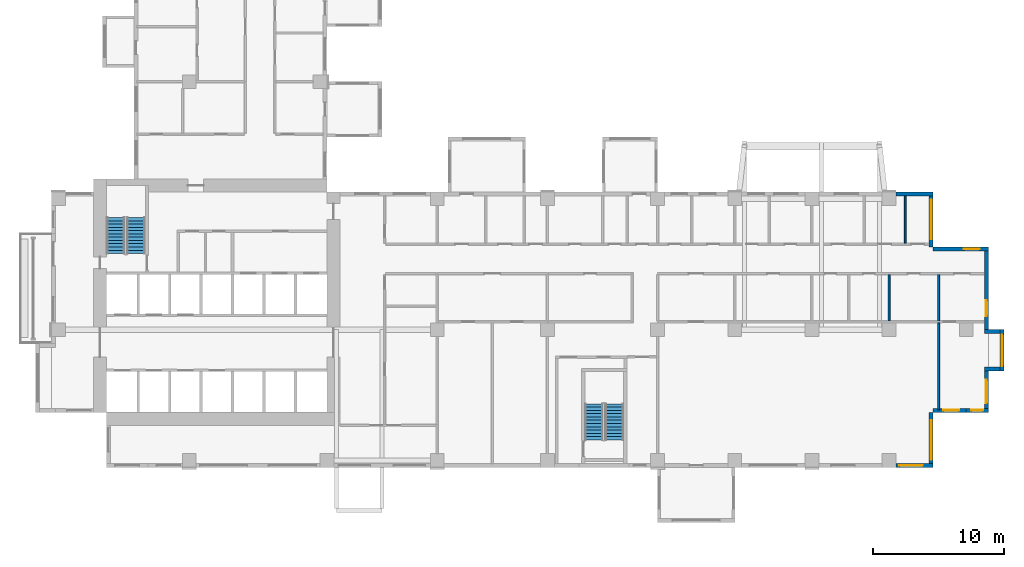
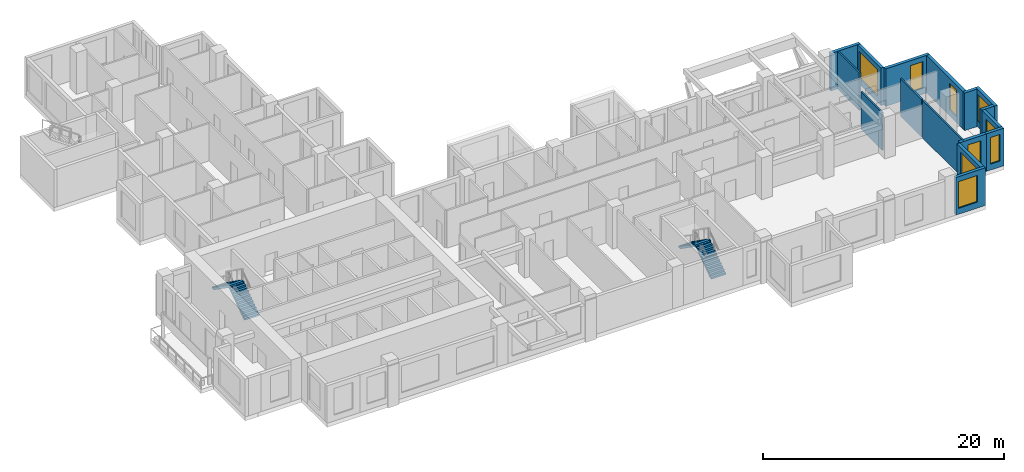
# One storey, part 9 of 15: 16 walls, 9 windows, 4 stair flights, 9 openings, 2 elements without a shape of their own.
"""IFC4 building model written with IfcOpenShell, lengths in metres."""

from ifc_helpers import new_model, si_unit, direction, frame, frame_2d, origin, place, context, subcontext, project, spatial, polyline, rectangle, outline, extrude, source, transform, mapped, material, layer, layer_set, type_object, element, fill, aggregate, save


model = new_model("IFC4")

# Units and contexts
model_context = context("Model", 3, precision=1e-05, world=origin(), true_north=direction((0.0, 1.0)))
body_context = subcontext(model_context, "Body", "Model", "MODEL_VIEW")
ifc_project = project(units=[si_unit("LENGTHUNIT", "METRE"), si_unit("AREAUNIT", "SQUARE_METRE"), si_unit("VOLUMEUNIT", "CUBIC_METRE"), si_unit("PLANEANGLEUNIT", "RADIAN"), si_unit("MASSUNIT", "GRAM", prefix="KILO")], contexts=[model_context])

# Site, building, storey
site_placement = place(None, origin())
site = spatial("IfcSite", under=ifc_project, at=site_placement, CompositionType="ELEMENT")
building_placement = place(site_placement, origin())
building = spatial("IfcBuilding", under=site, at=building_placement, Name="Aurelian Terraces", CompositionType="ELEMENT")
storey_placement = place(building_placement, frame((0.0, 0.0, 107.7)))
storey = spatial("IfcBuildingStorey", under=building, at=storey_placement, Name="L23", CompositionType="ELEMENT", Elevation=107.7)

# Wall
ifc_material_1 = material(Name="Gypsum board on steel studs", Category="steel")
ifc_layer_1 = layer(ifc_material_1, 0.15)
ifc_layer_set_1 = layer_set([ifc_layer_1], Name="Partition 150")
wall_type_1 = type_object("IfcWallType", Name="Partition 150", PredefinedType="PARTITIONING", material=ifc_layer_set_1)
wall_1_placement = place(storey_placement, frame((67.62, 4.405, 0.0), z_axis=(0.0, 0.0, 1.0), x_axis=(0.0, 1.0, 0.0)))
element("IfcWall", 1, at=wall_1_placement, inside=storey, type_object=wall_type_1, Name="Partition", PredefinedType="PARTITIONING", context=body_context, shape_type="SweptSolid", body=[
    extrude(rectangle(XDim=6.62, YDim=0.15, at=frame_2d((3.31, 0.0))), origin(), (0.0, 0.0, 1.0), 3.8),
])

# Wall, opening, window
ifc_material_2 = material(Name="Terracotta rainscreen cladding", Category="masonry")
ifc_layer_2 = layer(ifc_material_2, 0.3)
ifc_layer_set_2 = layer_set([ifc_layer_2], Name="EW-300")
wall_type_2 = type_object("IfcWallType", Name="EW-300", PredefinedType="STANDARD", material=ifc_layer_set_2)
shared_shape_1 = source(origin(), body_context, "Body", "SweptSolid", [
    extrude(rectangle(XDim=3.15, YDim=0.3, at=frame_2d((1.575, 0.0))), origin(), (0.0, 0.0, 1.0), 3.8),
])
wall_2_placement = place(storey_placement, frame((71.25, 4.2, 0.0), z_axis=(0.0, 0.0, 1.0), x_axis=(0.0, 1.0, 0.0)))
wall_2 = element("IfcWall", 2, at=wall_2_placement, inside=storey, type_object=wall_type_2, Name="External wall L23 F04.14", PredefinedType="STANDARD", context=body_context, shape_type="MappedRepresentation", body=[
    mapped(shared_shape_1, transform((0.0, 0.0, 0.0), scale=1.0)),
])
shared_shape_2 = source(origin(), body_context, "Body", "SweptSolid", [
    extrude(rectangle(XDim=1.8, YDim=2.7, at=frame_2d((0.9, 1.35))), frame((0.0, 0.16, 0.0), z_axis=(0.0, -1.0, 0.0), x_axis=(1.0, 0.0, 0.0)), (0.0, 0.0, 1.0), 0.32),
])
opening_1_placement = place(wall_2_placement, frame((0.675, 0.0, 0.6)))
opening_1 = element("IfcOpeningElement", 3, at=opening_1_placement, cuts=wall_2, Name="Opening W1827", PredefinedType="OPENING", context=body_context, shape_type="MappedRepresentation", body=[
    mapped(shared_shape_2, transform((0.0, 0.0, 0.0), scale=1.0)),
])
ifc_material_3 = material(Name="Clear glazing", Category="glass")
window_type_1 = type_object("IfcWindowType", Name="W-1800x2700", PartitioningType="SINGLE_PANEL", PredefinedType="WINDOW", material=ifc_material_3)
shared_shape_3 = source(origin(), body_context, "Body", "SweptSolid", [
    extrude(rectangle(XDim=1.8, YDim=2.7, at=frame_2d((0.9, 1.35))), frame((0.0, 0.03, 0.0), z_axis=(0.0, -1.0, 0.0), x_axis=(1.0, 0.0, 0.0)), (0.0, 0.0, 1.0), 0.06),
])
window_1_placement = place(opening_1_placement, origin())
window_1 = element("IfcWindow", 4, at=window_1_placement, inside=storey, type_object=window_type_1, Name="Window L23 L23-F04-14-0", OverallHeight=2.7, OverallWidth=1.8, PartitioningType="SINGLE_PANEL", PredefinedType="WINDOW", context=body_context, shape_type="MappedRepresentation", body=[
    mapped(shared_shape_3, transform((0.0, 0.0, 0.0), scale=1.0)),
])
fill(opening_1, window_1)

wall_3_placement = place(storey_placement, frame((72.45, 7.35, 0.0), z_axis=(0.0, 0.0, 1.0), x_axis=(0.0, 1.0, 0.0)))
wall_3 = element("IfcWall", 5, at=wall_3_placement, inside=storey, type_object=wall_type_2, Name="Bay wall L23 F04.15", PredefinedType="STANDARD", context=body_context, shape_type="MappedRepresentation", body=[
    mapped(shared_shape_1, transform((0.0, 0.0, 0.0), scale=1.0)),
])
shared_shape_4 = source(origin(), body_context, "Body", "SweptSolid", [
    extrude(rectangle(XDim=2.4, YDim=2.7, at=frame_2d((1.2, 1.35))), frame((0.0, 0.16, 0.0), z_axis=(0.0, -1.0, 0.0), x_axis=(1.0, 0.0, 0.0)), (0.0, 0.0, 1.0), 0.32),
])
opening_2_placement = place(wall_3_placement, frame((0.375, 0.0, 0.6)))
opening_2 = element("IfcOpeningElement", 6, at=opening_2_placement, cuts=wall_3, Name="Opening W2427", PredefinedType="OPENING", context=body_context, shape_type="MappedRepresentation", body=[
    mapped(shared_shape_4, transform((0.0, 0.0, 0.0), scale=1.0)),
])
window_type_2 = type_object("IfcWindowType", Name="W-2400x2700", PartitioningType="SINGLE_PANEL", PredefinedType="WINDOW", material=ifc_material_3)
shared_shape_5 = source(origin(), body_context, "Body", "SweptSolid", [
    extrude(rectangle(XDim=2.4, YDim=2.7, at=frame_2d((1.2, 1.35))), frame((0.0, 0.03, 0.0), z_axis=(0.0, -1.0, 0.0), x_axis=(1.0, 0.0, 0.0)), (0.0, 0.0, 1.0), 0.06),
])
window_2_placement = place(opening_2_placement, origin())
window_2 = element("IfcWindow", 7, at=window_2_placement, inside=storey, type_object=window_type_2, Name="Window L23 L23-F04-15-0", OverallHeight=2.7, OverallWidth=2.4, PartitioningType="SINGLE_PANEL", PredefinedType="WINDOW", context=body_context, shape_type="MappedRepresentation", body=[
    mapped(shared_shape_5, transform((0.0, 0.0, 0.0), scale=1.0)),
])
fill(opening_2, window_2)

shared_shape_6 = source(origin(), body_context, "Body", "SweptSolid", [
    extrude(rectangle(XDim=4.2, YDim=0.3, at=frame_2d((2.1, 0.0))), origin(), (0.0, 0.0, 1.0), 3.8),
])
wall_4_placement = place(storey_placement, frame((67.05, 0.0, 0.0), z_axis=(0.0, 0.0, 1.0), x_axis=(0.0, 1.0, 0.0)))
wall_4 = element("IfcWall", 8, at=wall_4_placement, inside=storey, type_object=wall_type_2, Name="External wall L23 F02.11", PredefinedType="STANDARD", context=body_context, shape_type="MappedRepresentation", body=[
    mapped(shared_shape_6, transform((0.0, 0.0, 0.0), scale=1.0)),
])
shared_shape_7 = source(origin(), body_context, "Body", "SweptSolid", [
    extrude(rectangle(XDim=3.0, YDim=2.7, at=frame_2d((1.5, 1.35))), frame((0.0, 0.16, 0.0), z_axis=(0.0, -1.0, 0.0), x_axis=(1.0, 0.0, 0.0)), (0.0, 0.0, 1.0), 0.32),
])
opening_3_placement = place(wall_4_placement, frame((0.6, 0.0, 0.6)))
opening_3 = element("IfcOpeningElement", 9, at=opening_3_placement, cuts=wall_4, Name="Opening W3027", PredefinedType="OPENING", context=body_context, shape_type="MappedRepresentation", body=[
    mapped(shared_shape_7, transform((0.0, 0.0, 0.0), scale=1.0)),
])
window_type_3 = type_object("IfcWindowType", Name="W-3000x2700", PartitioningType="SINGLE_PANEL", PredefinedType="WINDOW", material=ifc_material_3)
shared_shape_8 = source(origin(), body_context, "Body", "SweptSolid", [
    extrude(rectangle(XDim=3.0, YDim=2.7, at=frame_2d((1.5, 1.35))), frame((0.0, 0.03, 0.0), z_axis=(0.0, -1.0, 0.0), x_axis=(1.0, 0.0, 0.0)), (0.0, 0.0, 1.0), 0.06),
])
window_3_placement = place(opening_3_placement, origin())
window_3 = element("IfcWindow", 10, at=window_3_placement, inside=storey, type_object=window_type_3, Name="Window L23 L23-F02-11-0", OverallHeight=2.7, OverallWidth=3.0, PartitioningType="SINGLE_PANEL", PredefinedType="WINDOW", context=body_context, shape_type="MappedRepresentation", body=[
    mapped(shared_shape_8, transform((0.0, 0.0, 0.0), scale=1.0)),
])
fill(opening_3, window_3)

wall_5_placement = place(storey_placement, frame((71.4, 16.65, 0.0), z_axis=(0.0, 0.0, 1.0), x_axis=(-1.0, 0.0, 0.0)))
wall_5 = element("IfcWall", 11, at=wall_5_placement, inside=storey, type_object=wall_type_2, Name="External wall L23 F05.17", PredefinedType="STANDARD", context=body_context, shape_type="MappedRepresentation", body=[
    mapped(shared_shape_6, transform((0.0, 0.0, 0.0), scale=1.0)),
])
shared_shape_9 = source(origin(), body_context, "Body", "SweptSolid", [
    extrude(rectangle(XDim=1.2, YDim=2.7, at=frame_2d((0.6, 1.35))), frame((0.0, 0.16, 0.0), z_axis=(0.0, -1.0, 0.0), x_axis=(1.0, 0.0, 0.0)), (0.0, 0.0, 1.0), 0.32),
])
opening_4_placement = place(wall_5_placement, frame((0.66, 0.0, 0.6)))
opening_4 = element("IfcOpeningElement", 12, at=opening_4_placement, cuts=wall_5, Name="Opening W1227", PredefinedType="OPENING", context=body_context, shape_type="MappedRepresentation", body=[
    mapped(shared_shape_9, transform((0.0, 0.0, 0.0), scale=1.0)),
])
window_type_4 = type_object("IfcWindowType", Name="W-1200x2700", PartitioningType="SINGLE_PANEL", PredefinedType="WINDOW", material=ifc_material_3)
shared_shape_10 = source(origin(), body_context, "Body", "SweptSolid", [
    extrude(rectangle(XDim=1.2, YDim=2.7, at=frame_2d((0.6, 1.35))), frame((0.0, 0.03, 0.0), z_axis=(0.0, -1.0, 0.0), x_axis=(1.0, 0.0, 0.0)), (0.0, 0.0, 1.0), 0.06),
])
window_4_placement = place(opening_4_placement, origin())
window_4 = element("IfcWindow", 13, at=window_4_placement, inside=storey, type_object=window_type_4, Name="Window L23 L23-F05-17-0", OverallHeight=2.7, OverallWidth=1.2, PartitioningType="SINGLE_PANEL", PredefinedType="WINDOW", context=body_context, shape_type="MappedRepresentation", body=[
    mapped(shared_shape_10, transform((0.0, 0.0, 0.0), scale=1.0)),
])
fill(opening_4, window_4)

wall_6_placement = place(storey_placement, frame((67.05, 16.8, 0.0), z_axis=(0.0, 0.0, 1.0), x_axis=(0.0, 1.0, 0.0)))
wall_6 = element("IfcWall", 14, at=wall_6_placement, inside=storey, type_object=wall_type_2, Name="External wall L23 F06.18", PredefinedType="STANDARD", context=body_context, shape_type="MappedRepresentation", body=[
    mapped(shared_shape_6, transform((0.0, 0.0, 0.0), scale=1.0)),
])
opening_5_placement = place(wall_6_placement, frame((0.6, 0.0, 0.6)))
opening_5 = element("IfcOpeningElement", 15, at=opening_5_placement, cuts=wall_6, Name="Opening W3027", PredefinedType="OPENING", context=body_context, shape_type="MappedRepresentation", body=[
    mapped(shared_shape_7, transform((0.0, 0.0, 0.0), scale=1.0)),
])
window_5_placement = place(opening_5_placement, origin())
window_5 = element("IfcWindow", 16, at=window_5_placement, inside=storey, type_object=window_type_3, Name="Window L23 L23-F06-18-0", OverallHeight=2.7, OverallWidth=3.0, PartitioningType="SINGLE_PANEL", PredefinedType="WINDOW", context=body_context, shape_type="MappedRepresentation", body=[
    mapped(shared_shape_8, transform((0.0, 0.0, 0.0), scale=1.0)),
])
fill(opening_5, window_5)

# Walls
shared_shape_11 = source(origin(), body_context, "Body", "SweptSolid", [
    extrude(rectangle(XDim=1.2, YDim=0.3, at=frame_2d((0.6, 0.0))), origin(), (0.0, 0.0, 1.0), 3.8),
])
for number, where, z_axis, x_axis, name in (
    (17, (71.1, 7.5, 0.0), (0.0, 0.0, 1.0), (1.0, 0.0, 0.0), "Bay return L23 F04.15.1"),
    (18, (71.1, 10.35, 0.0), (0.0, 0.0, 1.0), (1.0, 0.0, 0.0), "Bay return L23 F04.15.2"),
):
    element("IfcWall", number, at=place(storey_placement, frame(where, z_axis=z_axis, x_axis=x_axis)), inside=storey, type_object=wall_type_2, Name=name, PredefinedType="STANDARD", context=body_context, shape_type="MappedRepresentation", body=[
        mapped(shared_shape_11, transform((0.0, 0.0, 0.0), scale=1.0)),
    ])

# Wall, opening, window
shared_shape_12 = source(origin(), body_context, "Body", "SweptSolid", [
    extrude(rectangle(XDim=2.52, YDim=0.3, at=frame_2d((1.26, 0.0))), origin(), (0.0, 0.0, 1.0), 3.8),
])
wall_7_placement = place(storey_placement, frame((67.2, 4.35, 0.0), z_axis=(0.0, 0.0, 1.0), x_axis=(1.0, 0.0, 0.0)))
wall_7 = element("IfcWall", 19, at=wall_7_placement, inside=storey, type_object=wall_type_2, Name="External wall L23 F03.12", PredefinedType="STANDARD", context=body_context, shape_type="MappedRepresentation", body=[
    mapped(shared_shape_12, transform((0.0, 0.0, 0.0), scale=1.0)),
])
opening_6_placement = place(wall_7_placement, frame((0.7775, 0.0, 0.6)))
opening_6 = element("IfcOpeningElement", 20, at=opening_6_placement, cuts=wall_7, Name="Opening W1227", PredefinedType="OPENING", context=body_context, shape_type="MappedRepresentation", body=[
    mapped(shared_shape_9, transform((0.0, 0.0, 0.0), scale=1.0)),
])
window_6_placement = place(opening_6_placement, origin())
window_6 = element("IfcWindow", 21, at=window_6_placement, inside=storey, type_object=window_type_4, Name="Window L23 L23-F03-12-P0", OverallHeight=2.7, OverallWidth=1.2, PartitioningType="SINGLE_PANEL", PredefinedType="WINDOW", context=body_context, shape_type="MappedRepresentation", body=[
    mapped(shared_shape_10, transform((0.0, 0.0, 0.0), scale=1.0)),
])
fill(opening_6, window_6)

shared_shape_13 = source(origin(), body_context, "Body", "SweptSolid", [
    extrude(rectangle(XDim=1.68, YDim=0.3, at=frame_2d((0.84, 0.0))), origin(), (0.0, 0.0, 1.0), 3.8),
])
wall_8_placement = place(storey_placement, frame((69.72, 4.35, 0.0), z_axis=(0.0, 0.0, 1.0), x_axis=(1.0, 0.0, 0.0)))
wall_8 = element("IfcWall", 22, at=wall_8_placement, inside=storey, type_object=wall_type_2, Name="External wall L23 F03.13", PredefinedType="STANDARD", context=body_context, shape_type="MappedRepresentation", body=[
    mapped(shared_shape_13, transform((0.0, 0.0, 0.0), scale=1.0)),
])
shared_shape_14 = source(origin(), body_context, "Body", "SweptSolid", [
    extrude(rectangle(XDim=0.9, YDim=2.7, at=frame_2d((0.45, 1.35))), frame((0.0, 0.16, 0.0), z_axis=(0.0, -1.0, 0.0), x_axis=(1.0, 0.0, 0.0)), (0.0, 0.0, 1.0), 0.32),
])
opening_7_placement = place(wall_8_placement, frame((0.39, 0.0, 0.6)))
opening_7 = element("IfcOpeningElement", 23, at=opening_7_placement, cuts=wall_8, Name="Opening W0927", PredefinedType="OPENING", context=body_context, shape_type="MappedRepresentation", body=[
    mapped(shared_shape_14, transform((0.0, 0.0, 0.0), scale=1.0)),
])
window_type_5 = type_object("IfcWindowType", Name="W-900x2700", PartitioningType="SINGLE_PANEL", PredefinedType="WINDOW", material=ifc_material_3)
shared_shape_15 = source(origin(), body_context, "Body", "SweptSolid", [
    extrude(rectangle(XDim=0.9, YDim=2.7, at=frame_2d((0.45, 1.35))), frame((0.0, 0.03, 0.0), z_axis=(0.0, -1.0, 0.0), x_axis=(1.0, 0.0, 0.0)), (0.0, 0.0, 1.0), 0.06),
])
window_7_placement = place(opening_7_placement, origin())
window_7 = element("IfcWindow", 24, at=window_7_placement, inside=storey, type_object=window_type_5, Name="Window L23 L23-F03-13-P0", OverallHeight=2.7, OverallWidth=0.9, PartitioningType="SINGLE_PANEL", PredefinedType="WINDOW", context=body_context, shape_type="MappedRepresentation", body=[
    mapped(shared_shape_15, transform((0.0, 0.0, 0.0), scale=1.0)),
])
fill(opening_7, window_7)

shared_shape_16 = source(origin(), body_context, "Body", "SweptSolid", [
    extrude(rectangle(XDim=6.3, YDim=0.3, at=frame_2d((3.15, 0.0))), origin(), (0.0, 0.0, 1.0), 3.8),
])
wall_9_placement = place(storey_placement, frame((71.25, 10.5, 0.0), z_axis=(0.0, 0.0, 1.0), x_axis=(0.0, 1.0, 0.0)))
wall_9 = element("IfcWall", 25, at=wall_9_placement, inside=storey, type_object=wall_type_2, Name="External wall L23 F04.16", PredefinedType="STANDARD", context=body_context, shape_type="MappedRepresentation", body=[
    mapped(shared_shape_16, transform((0.0, 0.0, 0.0), scale=1.0)),
])
opening_8_placement = place(wall_9_placement, frame((1.025, 0.0, 0.6)))
opening_8 = element("IfcOpeningElement", 26, at=opening_8_placement, cuts=wall_9, Name="Opening W1227", PredefinedType="OPENING", context=body_context, shape_type="MappedRepresentation", body=[
    mapped(shared_shape_9, transform((0.0, 0.0, 0.0), scale=1.0)),
])
window_8_placement = place(opening_8_placement, origin())
window_8 = element("IfcWindow", 27, at=window_8_placement, inside=storey, type_object=window_type_4, Name="Window L23 L23-F04-16-0", OverallHeight=2.7, OverallWidth=1.2, PartitioningType="SINGLE_PANEL", PredefinedType="WINDOW", context=body_context, shape_type="MappedRepresentation", body=[
    mapped(shared_shape_10, transform((0.0, 0.0, 0.0), scale=1.0)),
])
fill(opening_8, window_8)

shared_shape_17 = source(origin(), body_context, "Body", "SweptSolid", [
    extrude(rectangle(XDim=2.835, YDim=0.3, at=frame_2d((1.4175, 0.0))), origin(), (0.0, 0.0, 1.0), 3.8),
])
wall_10_placement = place(storey_placement, frame((64.365, 0.15, 0.0), z_axis=(0.0, 0.0, 1.0), x_axis=(1.0, 0.0, 0.0)))
wall_10 = element("IfcWall", 28, at=wall_10_placement, inside=storey, type_object=wall_type_2, Name="External wall L23 F01.10", PredefinedType="STANDARD", context=body_context, shape_type="MappedRepresentation", body=[
    mapped(shared_shape_17, transform((0.0, 0.0, 0.0), scale=1.0)),
])
opening_9_placement = place(wall_10_placement, frame((0.255, 0.0, 0.6)))
opening_9 = element("IfcOpeningElement", 29, at=opening_9_placement, cuts=wall_10, Name="Opening W1827", PredefinedType="OPENING", context=body_context, shape_type="MappedRepresentation", body=[
    mapped(shared_shape_2, transform((0.0, 0.0, 0.0), scale=1.0)),
])
window_9_placement = place(opening_9_placement, origin())
window_9 = element("IfcWindow", 30, at=window_9_placement, inside=storey, type_object=window_type_1, Name="Window L23 L23-F01-10-0", OverallHeight=2.7, OverallWidth=1.8, PartitioningType="SINGLE_PANEL", PredefinedType="WINDOW", context=body_context, shape_type="MappedRepresentation", body=[
    mapped(shared_shape_3, transform((0.0, 0.0, 0.0), scale=1.0)),
])
fill(opening_9, window_9)

# Walls
wall_11_placement = place(storey_placement, frame((67.2, 20.85, 0.0), z_axis=(0.0, 0.0, 1.0), x_axis=(-1.0, 0.0, 0.0)))
element("IfcWall", 31, at=wall_11_placement, inside=storey, type_object=wall_type_2, Name="External wall L23 F07.19", PredefinedType="STANDARD", context=body_context, shape_type="MappedRepresentation", body=[
    mapped(shared_shape_17, transform((0.0, 0.0, 0.0), scale=1.0)),
])
shared_shape_18 = source(origin(), body_context, "Body", "SweptSolid", [
    extrude(rectangle(XDim=3.6, YDim=0.15, at=frame_2d((1.8, 0.0))), origin(), (0.0, 0.0, 1.0), 3.8),
])
wall_12_placement = place(storey_placement, frame((65.0722, 20.7, 0.0), z_axis=(0.0, 0.0, 1.0), x_axis=(0.0, -1.0, 0.0)))
element("IfcWall", 32, at=wall_12_placement, inside=storey, type_object=wall_type_1, Name="Partition", PredefinedType="PARTITIONING", context=body_context, shape_type="MappedRepresentation", body=[
    mapped(shared_shape_18, transform((0.0, 0.0, 0.0), scale=1.0)),
])
shared_shape_19 = source(origin(), body_context, "Body", "SweptSolid", [
    extrude(rectangle(XDim=3.525, YDim=0.15, at=frame_2d((1.7625, 0.0))), origin(), (0.0, 0.0, 1.0), 3.8),
])
for number, where, z_axis, x_axis, name in (
    (33, (63.84, 11.175, 0.0), (0.0, 0.0, 1.0), (0.0, 1.0, 0.0), "Partition"),
    (34, (67.62, 11.175, 0.0), (0.0, 0.0, 1.0), (0.0, 1.0, 0.0), "Partition"),
):
    element("IfcWall", number, at=place(storey_placement, frame(where, z_axis=z_axis, x_axis=x_axis)), inside=storey, type_object=wall_type_1, Name=name, PredefinedType="PARTITIONING", context=body_context, shape_type="MappedRepresentation", body=[
        mapped(shared_shape_19, transform((0.0, 0.0, 0.0), scale=1.0)),
    ])

# Stair, stair flights
ifc_material_4 = material(Name="Concrete fc' 40 MPa", Category="concrete")
stair_type = type_object("IfcStairType", Name="Stair 1400", PredefinedType="HALF_TURN_STAIR", material=ifc_material_4)
stair_1_placement = place(storey_placement, origin())
stair_1 = element("IfcStair", 35, at=stair_1_placement, inside=storey, type_object=stair_type, Name="L23 S1", PredefinedType="HALF_TURN_STAIR")
stair_flight_type = type_object("IfcStairFlightType", Name="Stair flight 1400", PredefinedType="STRAIGHT", material=ifc_material_4)
shared_shape_20 = source(origin(), body_context, "Body", "SweptSolid", [
    extrude(outline(polyline([(0.0, 0.0), (0.0, 0.175), (0.25, 0.175), (0.25, 0.35), (0.5, 0.35), (0.5, 0.525), (0.75, 0.525), (0.75, 0.7), (1.0, 0.7), (1.0, 0.875), (1.25, 0.875), (1.25, 1.05), (1.5, 1.05), (1.5, 1.225), (1.75, 1.225), (1.75, 1.4), (2.0, 1.4), (2.0, 1.575), (2.25, 1.575), (2.25, 1.75), (2.5, 1.75), (2.5, 1.925), (2.75, 1.925), (2.75, 2.1), (2.75, 1.7419), (0.2616, 0.0), (0.0, 0.0)])), frame((0.0, 0.7, 0.0), z_axis=(0.0, -1.0, 0.0), x_axis=(1.0, 0.0, 0.0)), (0.0, 0.0, 1.0), 1.4),
])
stair_flight_1_placement = place(storey_placement, frame((6.45, 16.3, 2e-08), z_axis=(0.0, 0.0, 1.0), x_axis=(0.0, 1.0, 0.0)))
stair_flight_1 = element("IfcStairFlight", 36, at=stair_flight_1_placement, type_object=stair_flight_type, Name="S1 flight 1", NumberOfRisers=12, NumberOfTreads=11, PredefinedType="STRAIGHT", RiserHeight=0.175, TreadLength=0.25, context=body_context, shape_type="MappedRepresentation", body=[
    mapped(shared_shape_20, transform((0.0, 0.0, 0.0), scale=1.0)),
])
stair_flight_2_placement = place(storey_placement, frame((4.9, 19.05, 2.100000019999994), z_axis=(0.0, 0.0, 1.0), x_axis=(0.0, -1.0, 0.0)))
stair_flight_2 = element("IfcStairFlight", 37, at=stair_flight_2_placement, type_object=stair_flight_type, Name="S1 flight 2", NumberOfRisers=12, NumberOfTreads=11, PredefinedType="STRAIGHT", RiserHeight=0.175, TreadLength=0.25, context=body_context, shape_type="MappedRepresentation", body=[
    mapped(shared_shape_20, transform((0.0, 0.0, 0.0), scale=1.0)),
])
aggregate(stair_1, [stair_flight_1, stair_flight_2])

stair_2_placement = place(storey_placement, origin())
stair_2 = element("IfcStair", 38, at=stair_2_placement, inside=storey, type_object=stair_type, Name="L23 S2", PredefinedType="HALF_TURN_STAIR")
stair_flight_3_placement = place(storey_placement, frame((42.9, 2.1, 2e-08), z_axis=(0.0, 0.0, 1.0), x_axis=(0.0, 1.0, 0.0)))
stair_flight_3 = element("IfcStairFlight", 39, at=stair_flight_3_placement, type_object=stair_flight_type, Name="S2 flight 1", NumberOfRisers=12, NumberOfTreads=11, PredefinedType="STRAIGHT", RiserHeight=0.175, TreadLength=0.25, context=body_context, shape_type="MappedRepresentation", body=[
    mapped(shared_shape_20, transform((0.0, 0.0, 0.0), scale=1.0)),
])
stair_flight_4_placement = place(storey_placement, frame((41.35, 4.85, 2.100000019999994), z_axis=(0.0, 0.0, 1.0), x_axis=(0.0, -1.0, 0.0)))
stair_flight_4 = element("IfcStairFlight", 40, at=stair_flight_4_placement, type_object=stair_flight_type, Name="S2 flight 2", NumberOfRisers=12, NumberOfTreads=11, PredefinedType="STRAIGHT", RiserHeight=0.175, TreadLength=0.25, context=body_context, shape_type="MappedRepresentation", body=[
    mapped(shared_shape_20, transform((0.0, 0.0, 0.0), scale=1.0)),
])
aggregate(stair_2, [stair_flight_3, stair_flight_4])

save(model, "model.ifc")
